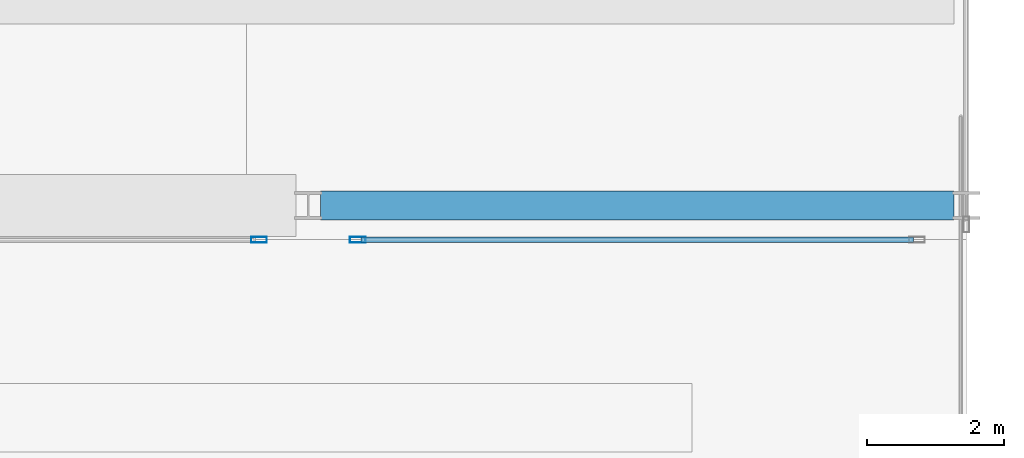
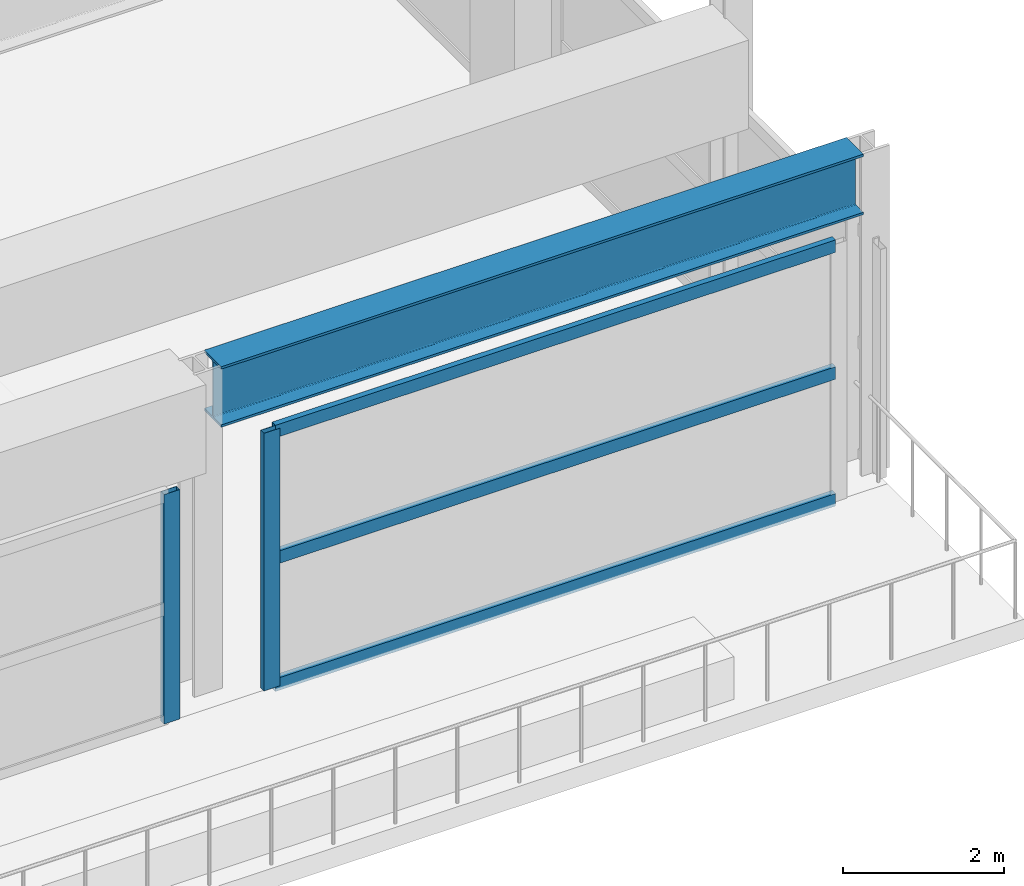
# One storey, part 25 of 45: 5 members, 1 beam, 2 elements without a shape of their own.
"""IFC4 building model written with IfcOpenShell, lengths in metres."""

from ifc_helpers import new_model, si_unit, direction, frame, origin, origin_2d, place, context, subcontext, project, spatial, hollow_rectangle, i_section, extrude, material, material_profile, profile_set, type_object, element, aggregate, save


model = new_model("IFC4")

# Units and contexts
model_context = context("Model", 3, precision=1e-05, world=origin(), true_north=direction((0.0, 1.0)))
body_context = subcontext(model_context, "Body", "Model", "MODEL_VIEW")
ifc_project = project(units=[si_unit("LENGTHUNIT", "METRE"), si_unit("AREAUNIT", "SQUARE_METRE"), si_unit("VOLUMEUNIT", "CUBIC_METRE"), si_unit("PLANEANGLEUNIT", "RADIAN"), si_unit("MASSUNIT", "GRAM", prefix="KILO")], contexts=[model_context])

# Site, building, storey
site_placement = place(None, origin())
site = spatial("IfcSite", under=ifc_project, at=site_placement, CompositionType="ELEMENT")
building_placement = place(site_placement, origin())
building = spatial("IfcBuilding", under=site, at=building_placement, Name="Kovane Verandah Tower", CompositionType="ELEMENT")
storey_placement = place(building_placement, frame((0.0, 0.0, 6.0)))
storey = spatial("IfcBuildingStorey", under=building, at=storey_placement, Name="L01", CompositionType="ELEMENT", Elevation=6.0)

# Beam
ifc_material_1 = material(Name="Steel S460", Category="steel")
ifc_material_profile_1 = material_profile(ifc_material_1, i_section(OverallWidth=0.42041015625, OverallDepth=0.9208984375, WebThickness=0.021484375, FlangeThickness=0.03662109375, FilletRadius=0.024169921875, at=origin_2d()), Name="UB914x419x388")
ifc_profile_set_1 = profile_set([ifc_material_profile_1], Name="Steel S460")
beam_type = type_object("IfcBeamType", Name="BM-UB914x388", PredefinedType="BEAM", material=ifc_profile_set_1)
beam_placement = place(storey_placement, frame((72.580078125, 2.39990234375, 4.439453125), z_axis=(1.0, 0.0, 0.0), x_axis=(0.0, 1.0, 0.0)))
element("IfcBeam", 1, at=beam_placement, inside=storey, type_object=beam_type, Name="L01 South Terrace Girder S1-3", PredefinedType="BEAM", context=body_context, shape_type="SweptSolid", body=[
    extrude(i_section(OverallWidth=0.42041015625, OverallDepth=0.9208984375, WebThickness=0.021484375, FlangeThickness=0.03662109375, FilletRadius=0.024169921875, at=origin_2d()), origin(), (0.0, 0.0, 1.0), 9.239990234375),
])

# Curtain wall, member
ifc_material_2 = material(Name="Champagne Anodised Aluminium Frame with Low-E Clear Laminated Glass", Category="aluminium")
curtain_wall_type = type_object("IfcCurtainWallType", Name="CW-SYS-01-POD", PredefinedType="NOTDEFINED", material=ifc_material_2)
curtain_wall_1_placement = place(storey_placement, origin())
curtain_wall_1 = element("IfcCurtainWall", 2, at=curtain_wall_1_placement, inside=storey, type_object=curtain_wall_type, Name="L01 South Podium Curtain Wall Bay 6.1", PredefinedType="NOTDEFINED")
ifc_material_3 = material(Name="Champagne Anodised Aluminium 6063-T6", Category="aluminium")
ifc_material_profile_2 = material_profile(ifc_material_3, hollow_rectangle(XDim=0.0849609375, YDim=0.22998046875, WallThickness=0.00390625, at=origin_2d()), Name="AL85x230x4")
ifc_profile_set_2 = profile_set([ifc_material_profile_2], Name="Champagne Anodised Aluminium 6063-T6")
member_type_1 = type_object("IfcMemberType", Name="CW-MUL-85x230", PredefinedType="MULLION", material=ifc_profile_set_2)
member_1_placement = place(storey_placement, frame((71.679931640625, 1.89990234375, 0.02001953125), z_axis=(0.0, 0.0, 1.0), x_axis=(0.0, -1.0, 0.0)))
member_1 = element("IfcMember", 3, at=member_1_placement, type_object=member_type_1, Name="L01 South Podium Curtain Wall Bay 6.1 Mullion 3", PredefinedType="MULLION", context=body_context, shape_type="SweptSolid", body=[
    extrude(hollow_rectangle(XDim=0.0849609375, YDim=0.22998046875, WallThickness=0.00390625, at=origin_2d()), origin(), (0.0, 0.0, 1.0), 3.489990234375),
])
aggregate(curtain_wall_1, [member_1])

# Curtain wall, members
curtain_wall_2_placement = place(storey_placement, origin())
curtain_wall_2 = element("IfcCurtainWall", 4, at=curtain_wall_2_placement, inside=storey, type_object=curtain_wall_type, Name="L01 South Podium Curtain Wall Bay 7.1", PredefinedType="NOTDEFINED")
member_2_placement = place(storey_placement, frame((73.1201171875, 1.89990234375, 0.02001953125), z_axis=(0.0, 0.0, 1.0), x_axis=(0.0, -1.0, 0.0)))
member_2 = element("IfcMember", 5, at=member_2_placement, type_object=member_type_1, Name="L01 South Podium Curtain Wall Bay 7.1 Mullion 1", PredefinedType="MULLION", context=body_context, shape_type="SweptSolid", body=[
    extrude(hollow_rectangle(XDim=0.0849609375, YDim=0.22998046875, WallThickness=0.00390625, at=origin_2d()), origin(), (0.0, 0.0, 1.0), 3.9189453125),
])
ifc_material_profile_3 = material_profile(ifc_material_3, hollow_rectangle(XDim=0.0849609375, YDim=0.18994140625, WallThickness=0.00390625, at=origin_2d()), Name="AL85x190x4")
ifc_profile_set_3 = profile_set([ifc_material_profile_3], Name="Champagne Anodised Aluminium 6063-T6")
member_type_2 = type_object("IfcMemberType", Name="CW-TRN-85x190", PredefinedType="USERDEFINED", material=ifc_profile_set_3)
member_3_placement = place(storey_placement, frame((73.169921875, 1.89990234375, 0.050048828125), z_axis=(1.0, 0.0, 0.0), x_axis=(0.0, 1.0, 0.0)))
member_3 = element("IfcMember", 6, at=member_3_placement, type_object=member_type_2, Name="L01 South Podium Curtain Wall Bay 7.1 Transom TB Bay 1", ObjectType="TRANSOM", PredefinedType="USERDEFINED", context=body_context, shape_type="SweptSolid", body=[
    extrude(hollow_rectangle(XDim=0.0849609375, YDim=0.18994140625, WallThickness=0.00390625, at=origin_2d()), origin(), (0.0, 0.0, 1.0), 8.06005859375),
])
member_4_placement = place(storey_placement, frame((73.169921875, 1.89990234375, 1.9794921875), z_axis=(1.0, 0.0, 0.0), x_axis=(0.0, 1.0, 0.0)))
member_4 = element("IfcMember", 7, at=member_4_placement, type_object=member_type_2, Name="L01 South Podium Curtain Wall Bay 7.1 Transom TM Bay 1", ObjectType="TRANSOM", PredefinedType="USERDEFINED", context=body_context, shape_type="SweptSolid", body=[
    extrude(hollow_rectangle(XDim=0.0849609375, YDim=0.18994140625, WallThickness=0.00390625, at=origin_2d()), origin(), (0.0, 0.0, 1.0), 8.06005859375),
])
member_5_placement = place(storey_placement, frame((73.169921875, 1.89990234375, 3.908935546875), z_axis=(1.0, 0.0, 0.0), x_axis=(0.0, 1.0, 0.0)))
member_5 = element("IfcMember", 8, at=member_5_placement, type_object=member_type_2, Name="L01 South Podium Curtain Wall Bay 7.1 Transom TT Bay 1", ObjectType="TRANSOM", PredefinedType="USERDEFINED", context=body_context, shape_type="SweptSolid", body=[
    extrude(hollow_rectangle(XDim=0.0849609375, YDim=0.18994140625, WallThickness=0.00390625, at=origin_2d()), origin(), (0.0, 0.0, 1.0), 8.06005859375),
])
aggregate(curtain_wall_2, [member_2, member_3, member_4, member_5])

save(model, "model.ifc")
